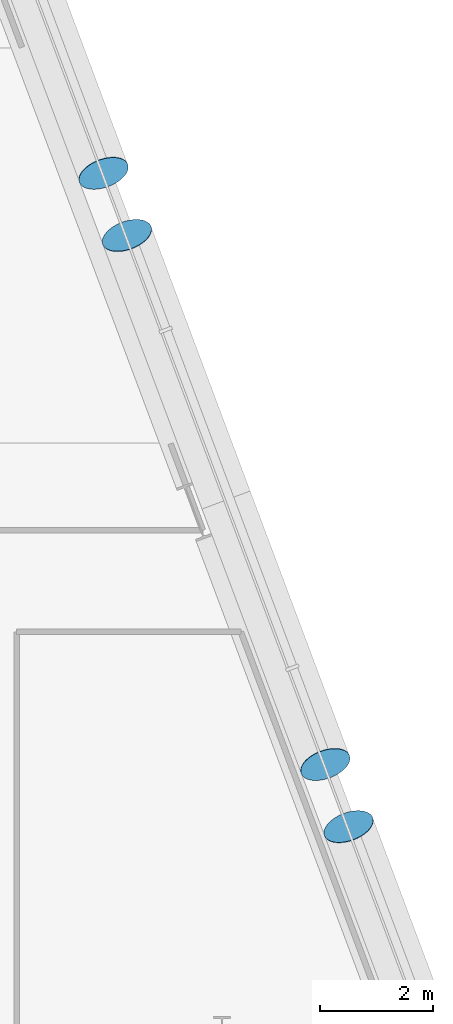
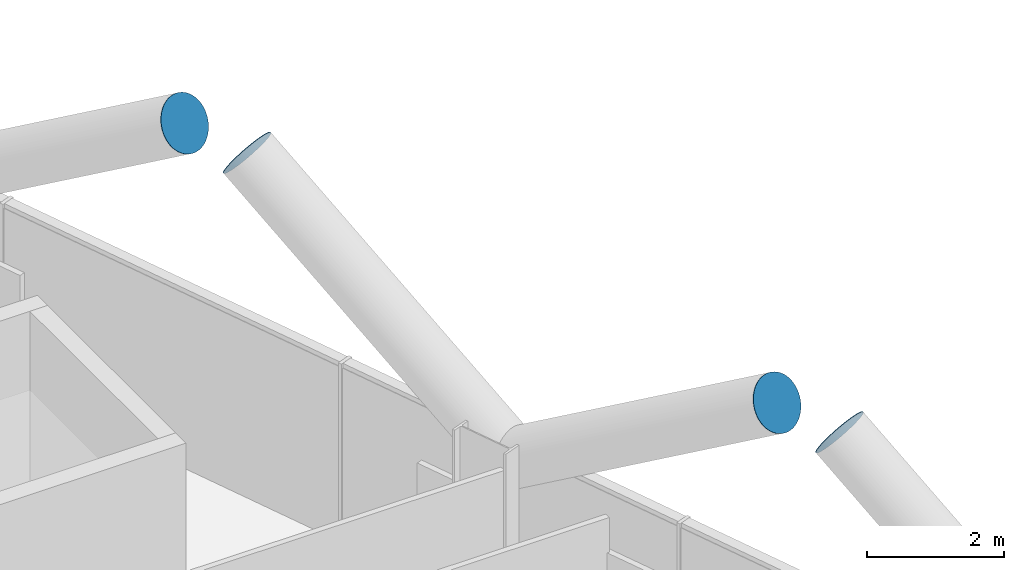
# One storey, part 24 of 28: 4 discrete accessories.
"""IFC4 building model written with IfcOpenShell, lengths in metres."""

from ifc_helpers import new_model, si_unit, direction, frame, origin, origin_2d, place, context, subcontext, project, spatial, circle, extrude, material, material_profile, profile_set, type_object, element, save


model = new_model("IFC4")

# Units and contexts
model_context = context("Model", 3, precision=1e-05, world=origin(), true_north=direction((0.0, 1.0)))
body_context = subcontext(model_context, "Body", "Model", "MODEL_VIEW")
ifc_project = project(units=[si_unit("LENGTHUNIT", "METRE"), si_unit("AREAUNIT", "SQUARE_METRE"), si_unit("VOLUMEUNIT", "CUBIC_METRE"), si_unit("PLANEANGLEUNIT", "RADIAN"), si_unit("MASSUNIT", "GRAM", prefix="KILO")], contexts=[model_context])

# Site, building, storey
site_placement = place(None, origin())
site = spatial("IfcSite", under=ifc_project, at=site_placement, CompositionType="ELEMENT")
building_placement = place(site_placement, origin())
building = spatial("IfcBuilding", under=site, at=building_placement, Name="Wharfspan Tower", CompositionType="ELEMENT")
storey_placement = place(building_placement, frame((0.0, 0.0, 52.300049)))
storey = spatial("IfcBuildingStorey", under=building, at=storey_placement, Name="L09", CompositionType="ELEMENT", Elevation=52.300049)

# Discrete accessories
ifc_material = material(Name="Steel S460NH", Category="steel")
ifc_material_profile = material_profile(ifc_material, circle(Radius=0.457031, at=origin_2d()))
ifc_profile_set = profile_set([ifc_material_profile], Name="Steel S460NH")
discrete_accessory_type = type_object("IfcDiscreteAccessoryType", Name="End plate CHS 914x40", PredefinedType="BRACKET", material=ifc_profile_set)
for number, where, z_axis, x_axis, name in (
    (1, (86.251465, 15.172852, 6.117432), (-0.295241, 0.787309, 0.541275), (-0.936333, -0.351125, 0.0), "End plate CHS 914x40"),
    (2, (85.833008, 16.288574, 6.117432), (0.295241, -0.787309, 0.541275), (0.936333, 0.351125, 0.0), "End plate CHS 914x40"),
    (3, (82.313965, 25.672852, 6.117432), (-0.295241, 0.787309, 0.541275), (-0.936333, -0.351125, 0.0), "End plate CHS 914x40"),
    (4, (81.895508, 26.788574, 6.117432), (0.295241, -0.787309, 0.541275), (0.936333, 0.351125, 0.0), "End plate CHS 914x40"),
):
    element("IfcDiscreteAccessory", number, at=place(storey_placement, frame(where, z_axis=z_axis, x_axis=x_axis)), inside=storey, type_object=discrete_accessory_type, Name=name, PredefinedType="BRACKET", context=body_context, shape_type="SweptSolid", body=[
        extrude(circle(Radius=0.457031, at=origin_2d()), origin(), (0.0, 0.0, 1.0), 0.01001),
    ])

save(model, "model.ifc")
